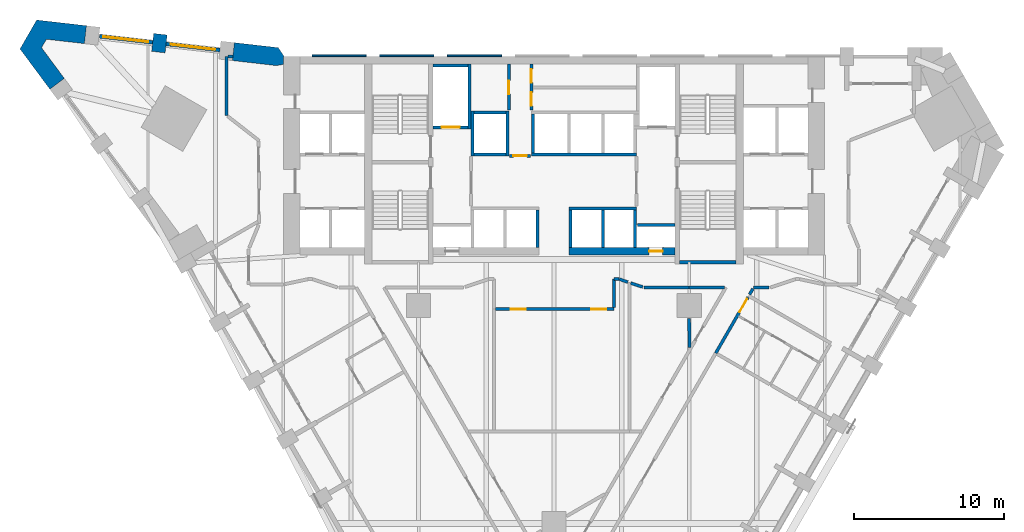
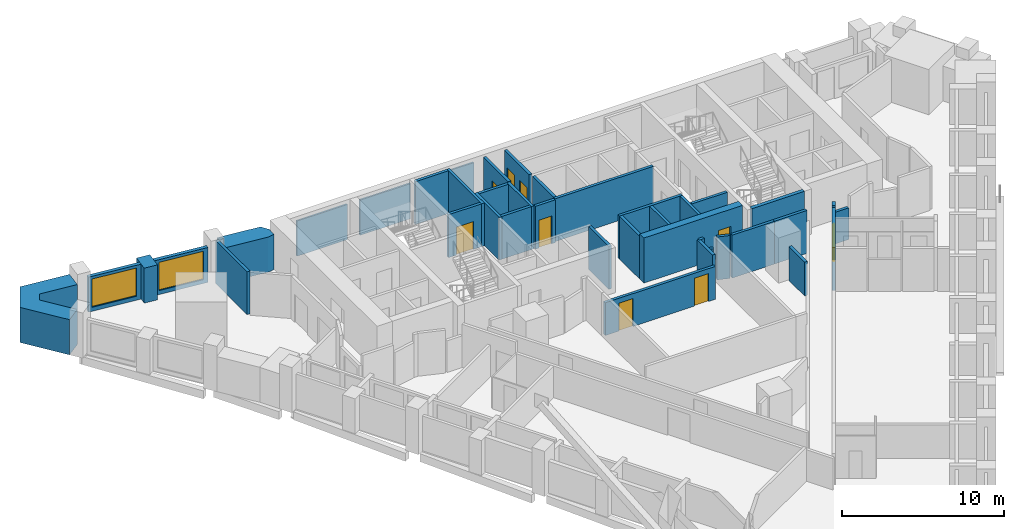
# One storey, part 6 of 10: 41 walls, 9 doors, 2 windows, 11 openings.
"""IFC4 building model written with IfcOpenShell, lengths in metres."""

from ifc_helpers import new_model, si_unit, direction, frame, frame_2d, origin, place, context, subcontext, project, spatial, polyline, rectangle, outline, extrude, material, layer, layer_set, type_object, element, fill, save


model = new_model("IFC4")

# Units and contexts
model_context = context("Model", 3, precision=1e-05, world=origin(), true_north=direction((0.0, 1.0)))
body_context = subcontext(model_context, "Body", "Model", "MODEL_VIEW")
ifc_project = project(units=[si_unit("LENGTHUNIT", "METRE"), si_unit("AREAUNIT", "SQUARE_METRE"), si_unit("VOLUMEUNIT", "CUBIC_METRE"), si_unit("PLANEANGLEUNIT", "RADIAN"), si_unit("MASSUNIT", "GRAM", prefix="KILO")], contexts=[model_context])

# Site, building, storey
site_placement = place(None, origin())
site = spatial("IfcSite", under=ifc_project, at=site_placement, CompositionType="ELEMENT")
building_placement = place(site_placement, origin())
building = spatial("IfcBuilding", under=site, at=building_placement, Name="Calabash Gate Tower", CompositionType="ELEMENT")
storey_placement = place(building_placement, frame((0.0, 0.0, 59.60009765625)))
storey = spatial("IfcBuildingStorey", under=building, at=storey_placement, Name="L10", CompositionType="ELEMENT", Elevation=59.60009765625)

# Walls
ifc_material_1 = material(Name="Terracotta brick masonry, exposed face", Category="masonry")
ifc_layer_1 = layer(ifc_material_1, 1.199951171875)
ifc_layer_set_1 = layer_set([ifc_layer_1], Name="Brick end wall 1200")
wall_type_1 = type_object("IfcWallType", Name="Brick end wall 1200", PredefinedType="SOLIDWALL", material=ifc_layer_set_1)
wall_1_placement = place(storey_placement, frame((-26.173095703125, 20.546142578125, 0.0), z_axis=(0.0, 0.0, 1.0), x_axis=(-0.113735952551, -0.993511013073, 0.0)))
element("IfcWall", 1, at=wall_1_placement, inside=storey, type_object=wall_type_1, Name="Brick pier S02 wedge5.1", PredefinedType="SOLIDWALL", context=body_context, shape_type="SweptSolid", body=[
    extrude(rectangle(XDim=1.199951171875, YDim=0.89990234375, at=frame_2d((0.60009765625, 0.0))), origin(), (0.0, 0.0, 1.0), 2.6298828125),
])
wall_2_placement = place(storey_placement, origin())
element("IfcWall", 2, at=wall_2_placement, inside=storey, type_object=wall_type_1, Name="Brick end wall S02 1", PredefinedType="SOLIDWALL", context=body_context, shape_type="SweptSolid", body=[
    extrude(outline(polyline([(-21.255126953125, 19.983154296875), (-21.39111328125, 18.790771484375), (-18.4716796875, 18.45654296875), (-18.0, 18.53173828125), (-18.0, 19.052490234375), (-17.9404296875, 19.052490234375), (-18.335205078125, 19.648681640625), (-21.255126953125, 19.983154296875)])), origin(), (0.0, 0.0, 1.0), 2.64990234375),
])
wall_3_placement = place(storey_placement, origin())
element("IfcWall", 3, at=wall_3_placement, inside=storey, type_object=wall_type_1, Name="Brick end wall S02 2", PredefinedType="SOLIDWALL", context=body_context, shape_type="SweptSolid", body=[
    extrude(outline(polyline([(-33.75634765625, 20.206787109375), (-31.227294921875, 19.917236328125), (-31.0908203125, 21.109375), (-34.40185546875, 21.48876953125), (-35.512451171875, 19.5654296875), (-33.5283203125, 16.887451171875), (-32.564208984375, 17.601806640625), (-34.07958984375, 19.647216796875), (-33.75634765625, 20.206787109375)])), origin(), (0.0, 0.0, 1.0), 2.64990234375),
])
ifc_material_2 = material(Name="Concrete C80/95", Category="concrete")
ifc_layer_2 = layer(ifc_material_2, 0.25)
ifc_layer_set_2 = layer_set([ifc_layer_2], Name="Core wall 250 Concrete C80/95")
wall_type_2 = type_object("IfcWallType", Name="Core wall 250 Concrete C80/95", PredefinedType="SHEAR", material=ifc_layer_set_2)
wall_4_placement = place(storey_placement, frame((8.35009765625, 5.377685546875, 0.0), z_axis=(0.0, 0.0, 1.0), x_axis=(1.0, 0.0, 0.0)))
element("IfcWall", 4, at=wall_4_placement, inside=storey, type_object=wall_type_2, Name="Core wall Z1-SSE L10", PredefinedType="SHEAR", context=body_context, shape_type="SweptSolid", body=[
    extrude(rectangle(XDim=3.75, YDim=0.25, at=frame_2d((1.875, 0.0))), origin(), (0.0, 0.0, 1.0), 3.39990234375),
])

# Wall, opening, door
ifc_material_3 = material(Name="Concrete C80/95", Category="concrete")
ifc_layer_3 = layer(ifc_material_3, 0.5)
ifc_layer_set_3 = layer_set([ifc_layer_3], Name="Core wall 500 Concrete C80/95")
wall_type_3 = type_object("IfcWallType", Name="Core wall 500 Concrete C80/95", PredefinedType="SHEAR", material=ifc_layer_set_3)
wall_5_placement = place(storey_placement, frame((1.0, 6.1025390625, 0.0), z_axis=(0.0, 0.0, 1.0), x_axis=(1.0, 0.0, 0.0)))
wall_5 = element("IfcWall", 5, at=wall_5_placement, inside=storey, type_object=wall_type_3, Name="Core wall Z1-SB L10", PredefinedType="SHEAR", context=body_context, shape_type="SweptSolid", body=[
    extrude(rectangle(XDim=7.050048828125, YDim=0.5, at=frame_2d((3.52490234375, 0.0))), origin(), (0.0, 0.0, 1.0), 3.39990234375),
])
opening_1_placement = place(wall_5_placement, frame((5.324951171875, 0.0, 0.0)))
opening_1 = element("IfcOpeningElement", 6, at=opening_1_placement, cuts=wall_5, Name="Opening H2-011", PredefinedType="OPENING", context=body_context, shape_type="SweptSolid", body=[
    extrude(rectangle(XDim=0.89990234375, YDim=2.10009765625, at=frame_2d((0.449951171875, 1.050048828125))), frame((0.0, 0.260009765625, 0.0), z_axis=(0.0, -1.0, 0.0), x_axis=(1.0, 0.0, 0.0)), (0.0, 0.0, 1.0), 0.52001953125),
])
ifc_material_4 = material(Name="Steel fire door set with fire-resisting glazing", Category="steel")
door_type_1 = type_object("IfcDoorType", Name="Fire door D07 900x2100 FD90", OperationType="NOTDEFINED", PredefinedType="DOOR", material=ifc_material_4)
door_1_placement = place(opening_1_placement, origin())
door_1 = element("IfcDoor", 7, at=door_1_placement, inside=storey, type_object=door_type_1, Name="Mechanical Riser E door", OperationType="SINGLE_SWING_RIGHT", OverallHeight=2.10009765625, OverallWidth=0.89990234375, PredefinedType="DOOR", context=body_context, shape_type="SweptSolid", body=[
    extrude(rectangle(XDim=0.89990234375, YDim=2.10009765625, at=frame_2d((0.449951171875, 1.050048828125))), frame((0.0, 0.02490234375, 0.0), z_axis=(0.0, -1.0, 0.0), x_axis=(1.0, 0.0, 0.0)), (0.0, 0.0, 1.0), 0.050048828125),
])
fill(opening_1, door_1)

# Wall
ifc_material_5 = material(Name="Gypsum board on steel studs, mineral wool", Category="steel")
ifc_layer_4 = layer(ifc_material_5, 0.199951171875)
ifc_layer_set_4 = layer_set([ifc_layer_4], Name="Partition 200 gypsum board EI 60")
wall_type_4 = type_object("IfcWallType", Name="Partition 200 gypsum board EI 60", PredefinedType="PARTITIONING", material=ifc_layer_set_4)
wall_6_placement = place(storey_placement, frame((9.000244140625, 1.64990234375, 0.0), z_axis=(0.0, 0.0, 1.0), x_axis=(0.000747570187, -0.999999720569, 0.0)))
element("IfcWall", 8, at=wall_6_placement, inside=storey, type_object=wall_type_4, Name="Partition", PredefinedType="PARTITIONING", context=body_context, shape_type="SweptSolid", body=[
    extrude(rectangle(XDim=1.95947265625, YDim=0.199951171875, at=frame_2d((0.979736328125, 0.0))), origin(), (0.0, 0.0, 1.0), 2.5517578125),
])

# Wall, openings, doors
wall_7_placement = place(storey_placement, frame((-3.87939453125, 2.25244140625, 0.0), z_axis=(0.0, 0.0, 1.0), x_axis=(1.0, 0.0, 0.0)))
wall_7 = element("IfcWall", 9, at=wall_7_placement, inside=storey, type_object=wall_type_4, Name="Partition", PredefinedType="PARTITIONING", context=body_context, shape_type="SweptSolid", body=[
    extrude(rectangle(XDim=7.859375, YDim=0.199951171875, at=frame_2d((3.9296875, 0.0))), origin(), (0.0, 0.0, 1.0), 2.473388671875),
])
opening_2_placement = place(wall_7_placement, frame((0.9912109375, 0.0, 0.0)))
opening_2 = element("IfcOpeningElement", 10, at=opening_2_placement, cuts=wall_7, Name="Opening 09-11-008", PredefinedType="OPENING", context=body_context, shape_type="SweptSolid", body=[
    extrude(rectangle(XDim=1.0, YDim=2.10009765625, at=frame_2d((0.5, 1.050048828125))), frame((0.0, 0.10986328125, 0.0), z_axis=(0.0, -1.0, 0.0), x_axis=(1.0, 0.0, 0.0)), (0.0, 0.0, 1.0), 0.219970703125),
])
opening_3_placement = place(wall_7_placement, frame((6.36328125, 0.0, 0.0)))
opening_3 = element("IfcOpeningElement", 11, at=opening_3_placement, cuts=wall_7, Name="Opening 09-11-021", PredefinedType="OPENING", context=body_context, shape_type="SweptSolid", body=[
    extrude(rectangle(XDim=1.0, YDim=2.10009765625, at=frame_2d((0.5, 1.050048828125))), frame((0.0, 0.10986328125, 0.0), z_axis=(0.0, -1.0, 0.0), x_axis=(1.0, 0.0, 0.0)), (0.0, 0.0, 1.0), 0.219970703125),
])
ifc_material_6 = material(Name="Steel fire door set with fire-resisting glazing", Category="steel")
door_type_2 = type_object("IfcDoorType", Name="LD2 Meeting room door 1000x2100", OperationType="NOTDEFINED", PredefinedType="DOOR", material=ifc_material_6)
door_2_placement = place(opening_2_placement, origin())
door_2 = element("IfcDoor", 12, at=door_2_placement, inside=storey, type_object=door_type_2, Name="Meeting room door", OperationType="SINGLE_SWING_LEFT", OverallHeight=2.10009765625, OverallWidth=1.0, PredefinedType="DOOR", context=body_context, shape_type="SweptSolid", body=[
    extrude(rectangle(XDim=1.0, YDim=2.10009765625, at=frame_2d((0.5, 1.050048828125))), frame((0.0, 0.02490234375, 0.0), z_axis=(0.0, -1.0, 0.0), x_axis=(1.0, 0.0, 0.0)), (0.0, 0.0, 1.0), 0.050048828125),
])
fill(opening_2, door_2)
door_3_placement = place(opening_3_placement, origin())
door_3 = element("IfcDoor", 13, at=door_3_placement, inside=storey, type_object=door_type_2, Name="Meeting room door", OperationType="SINGLE_SWING_RIGHT", OverallHeight=2.10009765625, OverallWidth=1.0, PredefinedType="DOOR", context=body_context, shape_type="SweptSolid", body=[
    extrude(rectangle(XDim=1.0, YDim=2.10009765625, at=frame_2d((0.5, 1.050048828125))), frame((0.0, 0.02490234375, 0.0), z_axis=(0.0, -1.0, 0.0), x_axis=(1.0, 0.0, 0.0)), (0.0, 0.0, 1.0), 0.050048828125),
])
fill(opening_3, door_3)

# Wall, opening, door
wall_8_placement = place(storey_placement, frame((10.76123046875, -0.670166015625, 0.0), z_axis=(0.0, 0.0, 1.0), x_axis=(0.499981388828, 0.866036148683, 0.0)))
wall_8 = element("IfcWall", 14, at=wall_8_placement, inside=storey, type_object=wall_type_4, Name="Partition", PredefinedType="PARTITIONING", context=body_context, shape_type="SweptSolid", body=[
    extrude(rectangle(XDim=4.298583984375, YDim=0.199951171875, at=frame_2d((2.1494140625, 0.0))), origin(), (0.0, 0.0, 1.0), 3.22998046875),
])
opening_4_placement = place(wall_8_placement, frame((3.14990234375, 0.0, 0.0)))
opening_4 = element("IfcOpeningElement", 15, at=opening_4_placement, cuts=wall_8, Name="Opening 09-11-012", PredefinedType="OPENING", context=body_context, shape_type="SweptSolid", body=[
    extrude(rectangle(XDim=1.0, YDim=2.10009765625, at=frame_2d((0.5, 1.050048828125))), frame((0.0, 0.10986328125, 0.0), z_axis=(0.0, -1.0, 0.0), x_axis=(1.0, 0.0, 0.0)), (0.0, 0.0, 1.0), 0.219970703125),
])
ifc_material_7 = material(Name="Steel fire door set with fire-resisting glazing", Category="steel")
door_type_3 = type_object("IfcDoorType", Name="WD3 WC lobby door 1000x2100", OperationType="NOTDEFINED", PredefinedType="DOOR", material=ifc_material_7)
door_4_placement = place(opening_4_placement, origin())
door_4 = element("IfcDoor", 16, at=door_4_placement, inside=storey, type_object=door_type_3, Name="WC lobby door", OperationType="SINGLE_SWING_LEFT", OverallHeight=2.10009765625, OverallWidth=1.0, PredefinedType="DOOR", context=body_context, shape_type="SweptSolid", body=[
    extrude(rectangle(XDim=1.0, YDim=2.10009765625, at=frame_2d((0.5, 1.050048828125))), frame((0.0, 0.02490234375, 0.0), z_axis=(0.0, -1.0, 0.0), x_axis=(1.0, 0.0, 0.0)), (0.0, 0.0, 1.0), 0.050048828125),
])
fill(opening_4, door_4)

# Walls
wall_9_placement = place(storey_placement, frame((13.010009765625, 3.228271484375, 0.0), z_axis=(0.0, 0.0, 1.0), x_axis=(0.500689591902, 0.865626901477, 0.0)))
element("IfcWall", 17, at=wall_9_placement, inside=storey, type_object=wall_type_4, Name="Partition", PredefinedType="PARTITIONING", context=body_context, shape_type="SweptSolid", body=[
    extrude(rectangle(XDim=0.444091796875, YDim=0.199951171875, at=frame_2d((0.22216796875, 0.0))), origin(), (0.0, 0.0, 1.0), 3.22998046875),
])
wall_10_placement = place(storey_placement, frame((6.0, 3.69970703125, 0.0), z_axis=(0.0, 0.0, 1.0), x_axis=(0.999999837743, -0.000569661366, 0.0)))
element("IfcWall", 18, at=wall_10_placement, inside=storey, type_object=wall_type_4, Name="Partition", PredefinedType="PARTITIONING", context=body_context, shape_type="SweptSolid", body=[
    extrude(rectangle(XDim=3.0, YDim=0.199951171875, at=frame_2d((1.5, 0.0))), origin(), (0.0, 0.0, 1.0), 3.22998046875),
])
wall_11_placement = place(storey_placement, frame((9.000244140625, 3.697998046875, 0.0), z_axis=(0.0, 0.0, 1.0), x_axis=(0.999999731873, 0.000732293977, 0.0)))
element("IfcWall", 19, at=wall_11_placement, inside=storey, type_object=wall_type_4, Name="Partition", PredefinedType="PARTITIONING", context=body_context, shape_type="SweptSolid", body=[
    extrude(rectangle(XDim=2.333740234375, YDim=0.199951171875, at=frame_2d((1.1669921875, 0.0))), origin(), (0.0, 0.0, 1.0), 3.22998046875),
])
wall_12_placement = place(storey_placement, frame((13.2822265625, 3.699462890625, 0.0), z_axis=(0.0, 0.0, 1.0), x_axis=(1.0, 0.0, 0.0)))
element("IfcWall", 20, at=wall_12_placement, inside=storey, type_object=wall_type_4, Name="Partition", PredefinedType="PARTITIONING", context=body_context, shape_type="SweptSolid", body=[
    extrude(rectangle(XDim=1.017822265625, YDim=0.199951171875, at=frame_2d((0.5087890625, 0.0))), origin(), (0.0, 0.0, 1.0), 2.384033203125),
])
wall_13_placement = place(storey_placement, frame((5.109130859375, 3.9951171875, 0.0), z_axis=(0.0, 0.0, 1.0), x_axis=(0.949177105593, -0.314742469677, 0.0)))
element("IfcWall", 21, at=wall_13_placement, inside=storey, type_object=wall_type_4, Name="Partition", PredefinedType="PARTITIONING", context=body_context, shape_type="SweptSolid", body=[
    extrude(rectangle(XDim=0.838623046875, YDim=0.199951171875, at=frame_2d((0.41943359375, 0.0))), origin(), (0.0, 0.0, 1.0), 3.22998046875),
])
wall_14_placement = place(storey_placement, frame((4.34228515625, 4.25244140625, 0.0), z_axis=(0.0, 0.0, 1.0), x_axis=(0.947797186495, -0.318873788939, 0.0)))
element("IfcWall", 22, at=wall_14_placement, inside=storey, type_object=wall_type_4, Name="Partition", PredefinedType="PARTITIONING", context=body_context, shape_type="SweptSolid", body=[
    extrude(rectangle(XDim=0.608642578125, YDim=0.199951171875, at=frame_2d((0.30419921875, 0.0))), origin(), (0.0, 0.0, 1.0), 2.384033203125),
])
wall_15_placement = place(storey_placement, frame((3.980224609375, 2.352294921875, 0.0), z_axis=(0.0, 0.0, 1.0), x_axis=(0.000900321179, 0.999999594711, 0.0)))
element("IfcWall", 23, at=wall_15_placement, inside=storey, type_object=wall_type_4, Name="Partition", PredefinedType="PARTITIONING", context=body_context, shape_type="SweptSolid", body=[
    extrude(rectangle(XDim=1.898193359375, YDim=0.199951171875, at=frame_2d((0.94921875, 0.0))), origin(), (0.0, 0.0, 1.0), 3.22998046875),
])
wall_16_placement = place(storey_placement, frame((3.98193359375, 4.25048828125, 0.0), z_axis=(0.0, 0.0, 1.0), x_axis=(0.99998531183, 0.00541997459, 0.0)))
element("IfcWall", 24, at=wall_16_placement, inside=storey, type_object=wall_type_4, Name="Partition", PredefinedType="PARTITIONING", context=body_context, shape_type="SweptSolid", body=[
    extrude(rectangle(XDim=0.3603515625, YDim=0.199951171875, at=frame_2d((0.18017578125, 0.0))), origin(), (0.0, 0.0, 1.0), 3.22998046875),
])
wall_17_placement = place(storey_placement, frame((-21.7822265625, 19.052490234375, 0.0), z_axis=(0.0, 0.0, 1.0), x_axis=(0.0, -1.0, 0.0)))
element("IfcWall", 25, at=wall_17_placement, inside=storey, type_object=wall_type_4, Name="Partition", PredefinedType="PARTITIONING", context=body_context, shape_type="SweptSolid", body=[
    extrude(rectangle(XDim=3.900146484375, YDim=0.199951171875, at=frame_2d((1.9501953125, 0.0))), origin(), (0.0, 0.0, 1.0), 3.22998046875),
])
wall_18_placement = place(storey_placement, frame((-21.682373046875, 19.052490234375, 0.0), z_axis=(0.0, 0.0, 1.0), x_axis=(0.999999710853, 0.000760456054, 0.0)))
element("IfcWall", 26, at=wall_18_placement, inside=storey, type_object=wall_type_4, Name="Partition", PredefinedType="PARTITIONING", context=body_context, shape_type="SweptSolid", body=[
    extrude(rectangle(XDim=0.321044921875, YDim=0.199951171875, at=frame_2d((0.16064453125, 0.0))), origin(), (0.0, 0.0, 1.0), 3.22998046875),
])

# Wall, opening, window
ifc_material_8 = material(Name="Aluminium framed window wall with insulated spandrel", Category="aluminium")
ifc_layer_5 = layer(ifc_material_8, 0.25)
ifc_layer_set_5 = layer_set([ifc_layer_5], Name="Prow window wall 250")
wall_type_5 = type_object("IfcWallType", Name="Prow window wall 250", PredefinedType="ELEMENTEDWALL", material=ifc_layer_set_5)
wall_19_placement = place(storey_placement, frame((-22.217529296875, 19.4892578125, 0.0), z_axis=(0.0, 0.0, 1.0), x_axis=(-0.993504225498, 0.113795228013, 0.0)))
wall_19 = element("IfcWall", 27, at=wall_19_placement, inside=storey, type_object=wall_type_5, Name="Prow window wall S02 wedge5.1", PredefinedType="ELEMENTEDWALL", context=body_context, shape_type="SweptSolid", body=[
    extrude(rectangle(XDim=3.60009765625, YDim=0.25, at=frame_2d((1.800048828125, 0.0))), origin(), (0.0, 0.0, 1.0), 2.6298828125),
])
opening_5_placement = place(wall_19_placement, frame((0.300048828125, 0.0, 0.300048828125)))
opening_5 = element("IfcOpeningElement", 28, at=opening_5_placement, cuts=wall_19, Name="Opening WP1L-2130", PredefinedType="OPENING", context=body_context, shape_type="SweptSolid", body=[
    extrude(rectangle(XDim=3.0, YDim=2.1298828125, at=frame_2d((1.5, 1.06494140625))), frame((0.0, 0.135009765625, 0.0), z_axis=(0.0, -1.0, 0.0), x_axis=(1.0, 0.0, 0.0)), (0.0, 0.0, 1.0), 0.27001953125),
])
ifc_material_9 = material(Name="Anodised aluminium frame, bronze finish, impact-rated laminated clear glazing", Category="aluminium")
window_type = type_object("IfcWindowType", Name="Window WP1L 3000x2130", PartitioningType="DOUBLE_PANEL_VERTICAL", PredefinedType="WINDOW", material=ifc_material_9)
window_1_placement = place(opening_5_placement, origin())
window_1 = element("IfcWindow", 29, at=window_1_placement, inside=storey, type_object=window_type, Name="Prow window WP1L S02 wedge5.1", OverallHeight=2.1298828125, OverallWidth=3.0, PartitioningType="SINGLE_PANEL", PredefinedType="WINDOW", context=body_context, shape_type="SweptSolid", body=[
    extrude(rectangle(XDim=3.0, YDim=2.1298828125, at=frame_2d((1.5, 1.06494140625))), frame((0.0, 0.030029296875, 0.0), z_axis=(0.0, -1.0, 0.0), x_axis=(1.0, 0.0, 0.0)), (0.0, 0.0, 1.0), 0.06005859375),
])
fill(opening_5, window_1)

wall_20_placement = place(storey_placement, frame((-26.686279296875, 20.001220703125, 0.0), z_axis=(0.0, 0.0, 1.0), x_axis=(-0.993509390647, 0.113750123938, 0.0)))
wall_20 = element("IfcWall", 30, at=wall_20_placement, inside=storey, type_object=wall_type_5, Name="Prow window wall S02 wedge5.2", PredefinedType="ELEMENTEDWALL", context=body_context, shape_type="SweptSolid", body=[
    extrude(rectangle(XDim=3.552001953125, YDim=0.25, at=frame_2d((1.77587890625, 0.0))), origin(), (0.0, 0.0, 1.0), 2.6298828125),
])
opening_6_placement = place(wall_20_placement, frame((0.302001953125, 0.0, 0.300048828125)))
opening_6 = element("IfcOpeningElement", 31, at=opening_6_placement, cuts=wall_20, Name="Opening WP1L-2130", PredefinedType="OPENING", context=body_context, shape_type="SweptSolid", body=[
    extrude(rectangle(XDim=3.0, YDim=2.1298828125, at=frame_2d((1.5, 1.06494140625))), frame((0.0, 0.135009765625, 0.0), z_axis=(0.0, -1.0, 0.0), x_axis=(1.0, 0.0, 0.0)), (0.0, 0.0, 1.0), 0.27001953125),
])
window_2_placement = place(opening_6_placement, origin())
window_2 = element("IfcWindow", 32, at=window_2_placement, inside=storey, type_object=window_type, Name="Prow window WP1L S02 wedge5.2", OverallHeight=2.1298828125, OverallWidth=3.0, PartitioningType="SINGLE_PANEL", PredefinedType="WINDOW", context=body_context, shape_type="SweptSolid", body=[
    extrude(rectangle(XDim=3.0, YDim=2.1298828125, at=frame_2d((1.5, 1.06494140625))), frame((0.0, 0.030029296875, 0.0), z_axis=(0.0, -1.0, 0.0), x_axis=(1.0, 0.0, 0.0)), (0.0, 0.0, 1.0), 0.06005859375),
])
fill(opening_6, window_2)

# Walls
ifc_material_10 = material(Name="Concrete C40/50", Category="concrete")
ifc_layer_6 = layer(ifc_material_10, 0.199951171875)
ifc_layer_set_6 = layer_set([ifc_layer_6], Name="Shaft wall 200 Concrete C40/50")
wall_type_6 = type_object("IfcWallType", Name="Shaft wall 200 Concrete C40/50", PredefinedType="SOLIDWALL", material=ifc_layer_set_6)
for number, where, z_axis, x_axis, name in (
    (33, (-1.10009765625, 6.3525390625, 0.0), (0.0, 0.0, 1.0), (0.0, 1.0, 0.0), "Shaft wall"),
    (34, (1.10009765625, 6.3525390625, 0.0), (0.0, 0.0, 1.0), (0.0, 1.0, 0.0), "Shaft wall"),
    (35, (3.25, 6.3525390625, 0.0), (0.0, 0.0, 1.0), (0.0, 1.0, 0.0), "Shaft wall"),
    (36, (5.39990234375, 6.3525390625, 0.0), (0.0, 0.0, 1.0), (0.0, 1.0, 0.0), "Shaft wall"),
    (37, (5.550048828125, 7.8525390625, 0.0), (0.0, 0.0, 1.0), (1.0, 0.0, 0.0), "Shaft wall"),
):
    element("IfcWall", number, at=place(storey_placement, frame(where, z_axis=z_axis, x_axis=x_axis)), inside=storey, type_object=wall_type_6, Name=name, PredefinedType="SOLIDWALL", context=body_context, shape_type="SweptSolid", body=[
        extrude(rectangle(XDim=2.5, YDim=0.199951171875, at=frame_2d((1.25, 0.0))), origin(), (0.0, 0.0, 1.0), 3.22998046875),
    ])
wall_21_placement = place(storey_placement, frame((1.0, 8.95263671875, 0.0), z_axis=(0.0, 0.0, 1.0), x_axis=(1.0, 0.0, 0.0)))
element("IfcWall", 38, at=wall_21_placement, inside=storey, type_object=wall_type_6, Name="Shaft wall", PredefinedType="SOLIDWALL", context=body_context, shape_type="SweptSolid", body=[
    extrude(rectangle(XDim=4.5, YDim=0.199951171875, at=frame_2d((2.25, 0.0))), origin(), (0.0, 0.0, 1.0), 3.22998046875),
])

# Wall, opening, door
wall_22_placement = place(storey_placement, frame((-2.949951171875, 12.45263671875, 0.0), z_axis=(0.0, 0.0, 1.0), x_axis=(1.0, 0.0, 0.0)))
wall_22 = element("IfcWall", 39, at=wall_22_placement, inside=storey, type_object=wall_type_6, Name="Shaft wall", PredefinedType="SOLIDWALL", context=body_context, shape_type="SweptSolid", body=[
    extrude(rectangle(XDim=1.39990234375, YDim=0.199951171875, at=frame_2d((0.699951171875, 0.0))), origin(), (0.0, 0.0, 1.0), 3.22998046875),
])
opening_7_placement = place(wall_22_placement, frame((0.25, 0.0, 0.0)))
opening_7 = element("IfcOpeningElement", 40, at=opening_7_placement, cuts=wall_22, Name="Opening H2-005", PredefinedType="OPENING", context=body_context, shape_type="SweptSolid", body=[
    extrude(rectangle(XDim=0.89990234375, YDim=2.10009765625, at=frame_2d((0.449951171875, 1.050048828125))), frame((0.0, 0.10986328125, 0.0), z_axis=(0.0, -1.0, 0.0), x_axis=(1.0, 0.0, 0.0)), (0.0, 0.0, 1.0), 0.219970703125),
])
ifc_material_11 = material(Name="Steel fire door set with fire-resisting glazing", Category="steel")
door_type_4 = type_object("IfcDoorType", Name="Fire door D06 900x2100 FD60", OperationType="NOTDEFINED", PredefinedType="DOOR", material=ifc_material_11)
door_5_placement = place(opening_7_placement, origin())
door_5 = element("IfcDoor", 41, at=door_5_placement, inside=storey, type_object=door_type_4, Name="Service Corridor door", OperationType="SINGLE_SWING_RIGHT", OverallHeight=2.10009765625, OverallWidth=0.89990234375, PredefinedType="DOOR", context=body_context, shape_type="SweptSolid", body=[
    extrude(rectangle(XDim=0.89990234375, YDim=2.10009765625, at=frame_2d((0.449951171875, 1.050048828125))), frame((0.0, 0.02490234375, 0.0), z_axis=(0.0, -1.0, 0.0), x_axis=(1.0, 0.0, 0.0)), (0.0, 0.0, 1.0), 0.050048828125),
])
fill(opening_7, door_5)

# Walls
wall_23_placement = place(storey_placement, frame((-5.39990234375, 12.45263671875, 0.0), z_axis=(0.0, 0.0, 1.0), x_axis=(0.0, 1.0, 0.0)))
element("IfcWall", 42, at=wall_23_placement, inside=storey, type_object=wall_type_6, Name="Shaft wall", PredefinedType="SOLIDWALL", context=body_context, shape_type="SweptSolid", body=[
    extrude(rectangle(XDim=3.0, YDim=0.199951171875, at=frame_2d((1.5, 0.0))), origin(), (0.0, 0.0, 1.0), 3.22998046875),
])
wall_24_placement = place(storey_placement, frame((-5.300048828125, 12.552490234375, 0.0), z_axis=(0.0, 0.0, 1.0), x_axis=(1.0, 0.0, 0.0)))
element("IfcWall", 43, at=wall_24_placement, inside=storey, type_object=wall_type_6, Name="Shaft wall", PredefinedType="SOLIDWALL", context=body_context, shape_type="SweptSolid", body=[
    extrude(rectangle(XDim=2.10009765625, YDim=0.199951171875, at=frame_2d((1.050048828125, 0.0))), origin(), (0.0, 0.0, 1.0), 3.22998046875),
])
wall_25_placement = place(storey_placement, frame((-3.10009765625, 12.45263671875, 0.0), z_axis=(0.0, 0.0, 1.0), x_axis=(0.0, 1.0, 0.0)))
element("IfcWall", 44, at=wall_25_placement, inside=storey, type_object=wall_type_6, Name="Shaft wall", PredefinedType="SOLIDWALL", context=body_context, shape_type="SweptSolid", body=[
    extrude(rectangle(XDim=3.0, YDim=0.199951171875, at=frame_2d((1.5, 0.0))), origin(), (0.0, 0.0, 1.0), 3.22998046875),
])
wall_26_placement = place(storey_placement, frame((-1.5, 12.552490234375, 0.0), z_axis=(0.0, 0.0, 1.0), x_axis=(1.0, 0.0, 0.0)))
element("IfcWall", 45, at=wall_26_placement, inside=storey, type_object=wall_type_6, Name="Shaft wall", PredefinedType="SOLIDWALL", context=body_context, shape_type="SweptSolid", body=[
    extrude(rectangle(XDim=7.0, YDim=0.199951171875, at=frame_2d((3.5, 0.0))), origin(), (0.0, 0.0, 1.0), 3.22998046875),
])
wall_27_placement = place(storey_placement, frame((-1.39990234375, 12.652587890625, 0.0), z_axis=(0.0, 0.0, 1.0), x_axis=(0.0, 1.0, 0.0)))
element("IfcWall", 46, at=wall_27_placement, inside=storey, type_object=wall_type_6, Name="Shaft wall", PredefinedType="SOLIDWALL", context=body_context, shape_type="SweptSolid", body=[
    extrude(rectangle(XDim=2.60009765625, YDim=0.199951171875, at=frame_2d((1.300048828125, 0.0))), origin(), (0.0, 0.0, 1.0), 3.22998046875),
])

# Wall, opening, door
wall_28_placement = place(storey_placement, frame((-8.050048828125, 14.3525390625, 0.0), z_axis=(0.0, 0.0, 1.0), x_axis=(1.0, 0.0, 0.0)))
wall_28 = element("IfcWall", 47, at=wall_28_placement, inside=storey, type_object=wall_type_6, Name="Shaft wall", PredefinedType="SOLIDWALL", context=body_context, shape_type="SweptSolid", body=[
    extrude(rectangle(XDim=2.35009765625, YDim=0.199951171875, at=frame_2d((1.175048828125, 0.0))), origin(), (0.0, 0.0, 1.0), 3.22998046875),
])
opening_8_placement = place(wall_28_placement, frame((0.574951171875, 0.0, 0.0)))
opening_8 = element("IfcOpeningElement", 48, at=opening_8_placement, cuts=wall_28, Name="Opening LD-FF1", PredefinedType="OPENING", context=body_context, shape_type="SweptSolid", body=[
    extrude(rectangle(XDim=1.199951171875, YDim=2.10009765625, at=frame_2d((0.60009765625, 1.050048828125))), frame((0.0, 0.10986328125, 0.0), z_axis=(0.0, -1.0, 0.0), x_axis=(1.0, 0.0, 0.0)), (0.0, 0.0, 1.0), 0.219970703125),
])
ifc_material_12 = material(Name="Stainless steel sliding door leaves", Category="steel")
door_type_5 = type_object("IfcDoorType", Name="Lift landing door LS3 1200x2100 FD90", OperationType="DOUBLE_DOOR_SLIDING", PredefinedType="DOOR", material=ifc_material_12)
door_6_placement = place(opening_8_placement, origin())
door_6 = element("IfcDoor", 49, at=door_6_placement, inside=storey, type_object=door_type_5, Name="Lift landing door FF1", OperationType="DOUBLE_DOOR_SLIDING", OverallHeight=2.10009765625, OverallWidth=1.199951171875, PredefinedType="DOOR", context=body_context, shape_type="SweptSolid", body=[
    extrude(rectangle(XDim=1.199951171875, YDim=2.10009765625, at=frame_2d((0.60009765625, 1.050048828125))), frame((0.0, 0.02490234375, 0.0), z_axis=(0.0, -1.0, 0.0), x_axis=(1.0, 0.0, 0.0)), (0.0, 0.0, 1.0), 0.050048828125),
])
fill(opening_8, door_6)

# Walls
wall_29_placement = place(storey_placement, frame((-5.60009765625, 14.252685546875, 0.0), z_axis=(0.0, 0.0, 1.0), x_axis=(0.0, 1.0, 0.0)))
element("IfcWall", 50, at=wall_29_placement, inside=storey, type_object=wall_type_6, Name="Shaft wall", PredefinedType="SOLIDWALL", context=body_context, shape_type="SweptSolid", body=[
    extrude(rectangle(XDim=4.2998046875, YDim=0.199951171875, at=frame_2d((2.14990234375, 0.0))), origin(), (0.0, 0.0, 1.0), 3.22998046875),
])
wall_30_placement = place(storey_placement, frame((-5.300048828125, 15.3525390625, 0.0), z_axis=(0.0, 0.0, 1.0), x_axis=(1.0, 0.0, 0.0)))
element("IfcWall", 51, at=wall_30_placement, inside=storey, type_object=wall_type_6, Name="Shaft wall", PredefinedType="SOLIDWALL", context=body_context, shape_type="SweptSolid", body=[
    extrude(rectangle(XDim=2.10009765625, YDim=0.199951171875, at=frame_2d((1.050048828125, 0.0))), origin(), (0.0, 0.0, 1.0), 3.22998046875),
])

# Wall, opening, door
wall_31_placement = place(storey_placement, frame((-3.0, 15.502685546875, 0.0), z_axis=(0.0, 0.0, 1.0), x_axis=(0.0, 1.0, 0.0)))
wall_31 = element("IfcWall", 52, at=wall_31_placement, inside=storey, type_object=wall_type_6, Name="Shaft wall", PredefinedType="SOLIDWALL", context=body_context, shape_type="SweptSolid", body=[
    extrude(rectangle(XDim=3.0498046875, YDim=0.199951171875, at=frame_2d((1.52490234375, 0.0))), origin(), (0.0, 0.0, 1.0), 3.22998046875),
])
opening_9_placement = place(wall_31_placement, frame((1.050048828125, 0.0, 0.0)))
opening_9 = element("IfcOpeningElement", 53, at=opening_9_placement, cuts=wall_31, Name="Opening H2-008", PredefinedType="OPENING", context=body_context, shape_type="SweptSolid", body=[
    extrude(rectangle(XDim=0.89990234375, YDim=2.10009765625, at=frame_2d((0.449951171875, 1.050048828125))), frame((0.0, 0.10986328125, 0.0), z_axis=(0.0, -1.0, 0.0), x_axis=(1.0, 0.0, 0.0)), (0.0, 0.0, 1.0), 0.219970703125),
])
door_7_placement = place(opening_9_placement, origin())
door_7 = element("IfcDoor", 54, at=door_7_placement, inside=storey, type_object=door_type_4, Name="Linen Store door", OperationType="SINGLE_SWING_LEFT", OverallHeight=2.10009765625, OverallWidth=0.89990234375, PredefinedType="DOOR", context=body_context, shape_type="SweptSolid", body=[
    extrude(rectangle(XDim=0.89990234375, YDim=2.10009765625, at=frame_2d((0.449951171875, 1.050048828125))), frame((0.0, 0.02490234375, 0.0), z_axis=(0.0, -1.0, 0.0), x_axis=(1.0, 0.0, 0.0)), (0.0, 0.0, 1.0), 0.050048828125),
])
fill(opening_9, door_7)

# Wall, openings, doors
wall_32_placement = place(storey_placement, frame((-1.5, 15.502685546875, 0.0), z_axis=(0.0, 0.0, 1.0), x_axis=(0.0, 1.0, 0.0)))
wall_32 = element("IfcWall", 55, at=wall_32_placement, inside=storey, type_object=wall_type_6, Name="Shaft wall", PredefinedType="SOLIDWALL", context=body_context, shape_type="SweptSolid", body=[
    extrude(rectangle(XDim=3.0498046875, YDim=0.199951171875, at=frame_2d((1.52490234375, 0.0))), origin(), (0.0, 0.0, 1.0), 3.22998046875),
])
opening_10_placement = place(wall_32_placement, frame((0.27490234375, 0.0, 0.0)))
opening_10 = element("IfcOpeningElement", 56, at=opening_10_placement, cuts=wall_32, Name="Opening H2-009", PredefinedType="OPENING", context=body_context, shape_type="SweptSolid", body=[
    extrude(rectangle(XDim=0.89990234375, YDim=2.10009765625, at=frame_2d((0.449951171875, 1.050048828125))), frame((0.0, 0.10986328125, 0.0), z_axis=(0.0, -1.0, 0.0), x_axis=(1.0, 0.0, 0.0)), (0.0, 0.0, 1.0), 0.219970703125),
])
opening_11_placement = place(wall_32_placement, frame((1.824951171875, 0.0, 0.0)))
opening_11 = element("IfcOpeningElement", 57, at=opening_11_placement, cuts=wall_32, Name="Opening H2-010", PredefinedType="OPENING", context=body_context, shape_type="SweptSolid", body=[
    extrude(rectangle(XDim=0.89990234375, YDim=2.10009765625, at=frame_2d((0.449951171875, 1.050048828125))), frame((0.0, 0.10986328125, 0.0), z_axis=(0.0, -1.0, 0.0), x_axis=(1.0, 0.0, 0.0)), (0.0, 0.0, 1.0), 0.219970703125),
])
door_8_placement = place(opening_10_placement, origin())
door_8 = element("IfcDoor", 58, at=door_8_placement, inside=storey, type_object=door_type_4, Name="Ice and Vending door", OperationType="SINGLE_SWING_LEFT", OverallHeight=2.10009765625, OverallWidth=0.89990234375, PredefinedType="DOOR", context=body_context, shape_type="SweptSolid", body=[
    extrude(rectangle(XDim=0.89990234375, YDim=2.10009765625, at=frame_2d((0.449951171875, 1.050048828125))), frame((0.0, 0.02490234375, 0.0), z_axis=(0.0, -1.0, 0.0), x_axis=(1.0, 0.0, 0.0)), (0.0, 0.0, 1.0), 0.050048828125),
])
fill(opening_10, door_8)
door_9_placement = place(opening_11_placement, origin())
door_9 = element("IfcDoor", 59, at=door_9_placement, inside=storey, type_object=door_type_4, Name="Cleaner's Store door", OperationType="SINGLE_SWING_LEFT", OverallHeight=2.10009765625, OverallWidth=0.89990234375, PredefinedType="DOOR", context=body_context, shape_type="SweptSolid", body=[
    extrude(rectangle(XDim=0.89990234375, YDim=2.10009765625, at=frame_2d((0.449951171875, 1.050048828125))), frame((0.0, 0.02490234375, 0.0), z_axis=(0.0, -1.0, 0.0), x_axis=(1.0, 0.0, 0.0)), (0.0, 0.0, 1.0), 0.050048828125),
])
fill(opening_11, door_9)

# Walls
wall_33_placement = place(storey_placement, frame((-8.050048828125, 18.45263671875, 0.0), z_axis=(0.0, 0.0, 1.0), x_axis=(1.0, 0.0, 0.0)))
element("IfcWall", 60, at=wall_33_placement, inside=storey, type_object=wall_type_6, Name="Shaft wall", PredefinedType="SOLIDWALL", context=body_context, shape_type="SweptSolid", body=[
    extrude(rectangle(XDim=2.35009765625, YDim=0.199951171875, at=frame_2d((1.175048828125, 0.0))), origin(), (0.0, 0.0, 1.0), 3.22998046875),
])
ifc_material_13 = material(Name="Terracotta brick masonry, perforated", Category="masonry")
ifc_layer_7 = layer(ifc_material_13, 0.1201171875)
ifc_layer_set_7 = layer_set([ifc_layer_7], Name="Terracotta jaali cladding B 120")
wall_type_7 = type_object("IfcWallType", Name="Terracotta jaali cladding B 120", PredefinedType="SOLIDWALL", material=ifc_layer_set_7)
wall_34_placement = place(storey_placement, origin())
element("IfcWall", 61, at=wall_34_placement, inside=storey, type_object=wall_type_7, Name="Jaali cladding S02 N4.7", PredefinedType="SOLIDWALL", context=body_context, shape_type="SweptSolid", body=[
    extrude(outline(polyline([(-7.086181640625, 19.172607421875), (-7.086181640625, 19.052490234375), (-3.486083984375, 19.052490234375), (-3.486083984375, 19.172607421875), (-7.086181640625, 19.172607421875)])), origin(), (0.0, 0.0, 1.0), 2.64990234375),
])
wall_35_placement = place(storey_placement, origin())
element("IfcWall", 62, at=wall_35_placement, inside=storey, type_object=wall_type_7, Name="Jaali cladding S02 N4.9", PredefinedType="SOLIDWALL", context=body_context, shape_type="SweptSolid", body=[
    extrude(outline(polyline([(-16.086181640625, 19.172607421875), (-16.086181640625, 19.052490234375), (-12.486083984375, 19.052490234375), (-12.486083984375, 19.172607421875), (-16.086181640625, 19.172607421875)])), origin(), (0.0, 0.0, 1.0), 2.64990234375),
])
ifc_material_14 = material(Name="Terracotta louvre blades in an aluminium frame", Category="masonry")
ifc_layer_8 = layer(ifc_material_14, 0.1201171875)
ifc_layer_set_8 = layer_set([ifc_layer_8], Name="Terracotta vent louvre cladding 120")
wall_type_8 = type_object("IfcWallType", Name="Terracotta vent louvre cladding 120", PredefinedType="ELEMENTEDWALL", material=ifc_layer_set_8)
wall_36_placement = place(storey_placement, origin())
element("IfcWall", 63, at=wall_36_placement, inside=storey, type_object=wall_type_8, Name="Vent louvre cladding S02 N4.8", PredefinedType="ELEMENTEDWALL", context=body_context, shape_type="SweptSolid", body=[
    extrude(outline(polyline([(-11.586181640625, 19.172607421875), (-11.586181640625, 19.052490234375), (-7.986083984375, 19.052490234375), (-7.986083984375, 19.172607421875), (-11.586181640625, 19.172607421875)])), origin(), (0.0, 0.0, 1.0), 2.64990234375),
])

save(model, "model.ifc")
